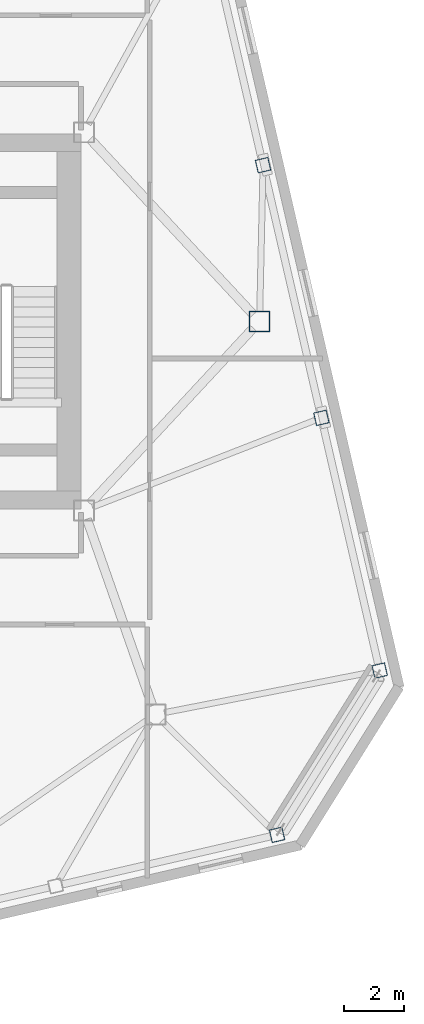
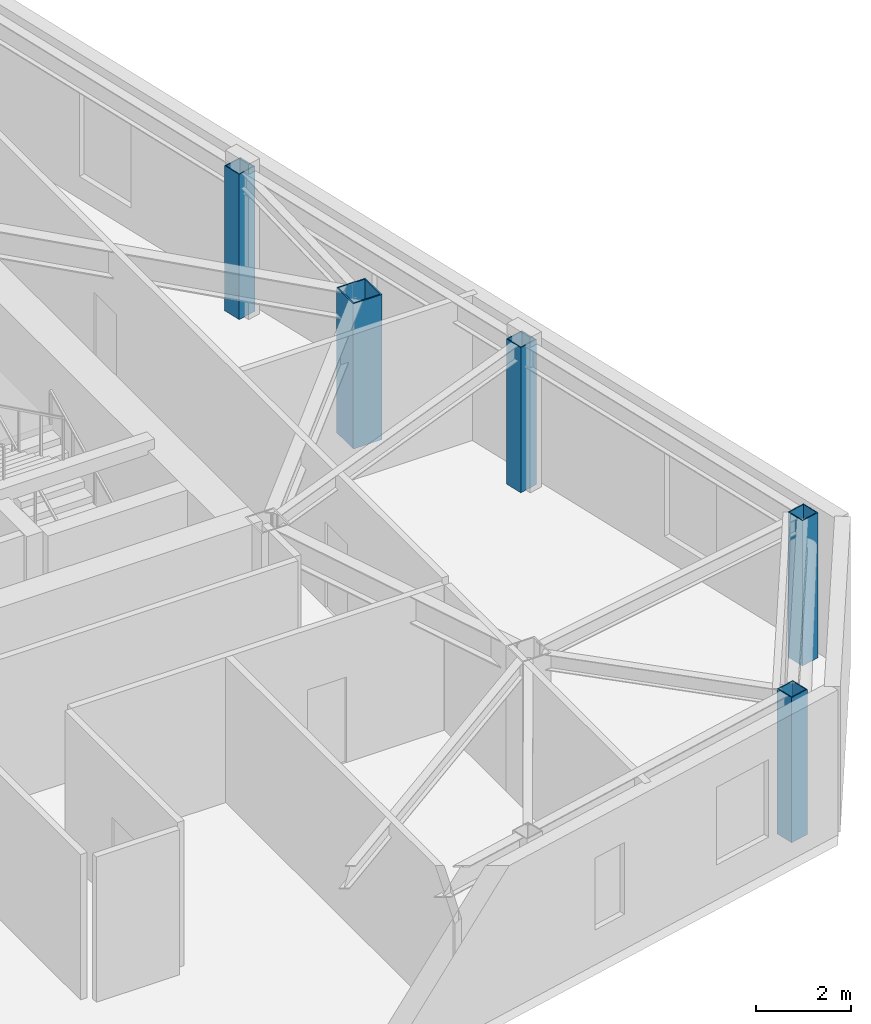
# One storey, part 4 of 22: 5 columns.
"""IFC4 building model written with IfcOpenShell, lengths in metres."""

from ifc_helpers import new_model, si_unit, direction, frame, origin, origin_2d, place, context, subcontext, project, spatial, hollow_rectangle, extrude, material, material_profile, profile_set, type_object, element, save


model = new_model("IFC4")

# Units and contexts
model_context = context("Model", 3, precision=1e-05, world=origin(), true_north=direction((0.0, 1.0)))
body_context = subcontext(model_context, "Body", "Model", "MODEL_VIEW")
ifc_project = project(units=[si_unit("LENGTHUNIT", "METRE"), si_unit("AREAUNIT", "SQUARE_METRE"), si_unit("VOLUMEUNIT", "CUBIC_METRE"), si_unit("PLANEANGLEUNIT", "RADIAN"), si_unit("MASSUNIT", "GRAM", prefix="KILO")], contexts=[model_context])

# Site, building, storey
site_placement = place(None, origin())
site = spatial("IfcSite", under=ifc_project, at=site_placement, CompositionType="ELEMENT")
building_placement = place(site_placement, origin())
building = spatial("IfcBuilding", under=site, at=building_placement, Name="Tavrogorsk Clinical Tower", CompositionType="ELEMENT")
storey_placement = place(building_placement, frame((0.0, 0.0, 317.0)))
storey = spatial("IfcBuildingStorey", under=building, at=storey_placement, Name="L74", CompositionType="ELEMENT", Elevation=317.0)

# Columns
ifc_material_1 = material(Name="Structural steel S440", Category="steel")
ifc_material_profile_1 = material_profile(ifc_material_1, hollow_rectangle(XDim=0.699951171875, YDim=0.699951171875, WallThickness=0.031982421875, at=origin_2d()), Name="BOX-700x700x32")
ifc_profile_set_1 = profile_set([ifc_material_profile_1], Name="Structural steel S440")
column_type_1 = type_object("IfcColumnType", Name="MegaCol_BOX700", PredefinedType="COLUMN", material=ifc_profile_set_1)
column_placement = place(storey_placement, frame((28.0, 0.0, 0.0), z_axis=(0.0, 0.0, 1.0), x_axis=(1.0, 0.0, 0.0)))
element("IfcColumn", 1, at=column_placement, inside=storey, type_object=column_type_1, Name="L74 Spine Pilotis Column MC-P6", PredefinedType="COLUMN", context=body_context, shape_type="SweptSolid", body=[
    extrude(hollow_rectangle(XDim=0.699951171875, YDim=0.699951171875, WallThickness=0.031982421875, at=origin_2d()), origin(), (0.0, 0.0, 1.0), 3.739990234375),
])
ifc_material_2 = material(Name="Structural steel S440", Category="steel")
ifc_material_profile_2 = material_profile(ifc_material_2, hollow_rectangle(XDim=0.449951171875, YDim=0.449951171875, WallThickness=0.02197265625, at=origin_2d()), Name="BOX-450x450x22")
ifc_profile_set_2 = profile_set([ifc_material_profile_2], Name="Structural steel S440")
column_type_2 = type_object("IfcColumnType", Name="PerimCol_B5_BOX450", PredefinedType="COLUMN", material=ifc_profile_set_2)
for number, where, z_axis, x_axis, name in (
    (2, (28.588623046875, -17.244873046875, 0.0), (0.0, 0.0, 1.0), (0.974370064785, 0.224951054344, 0.0), "L74 Perimeter Column S8"),
    (3, (32.035888671875, -11.72802734375, 0.0), (0.0, 0.0, 1.0), (0.974370064785, 0.224951054344, 0.0), "L74 Perimeter Column E1"),
    (4, (30.07666015625, -3.2412109375, 0.0), (0.0, 0.0, 1.0), (0.974370064785, 0.224951054344, 0.0), "L74 Perimeter Column E2"),
    (5, (28.1171875, 5.24560546875, 0.0), (0.0, 0.0, 1.0), (0.974370064785, 0.224951054344, 0.0), "L74 Perimeter Column E3"),
):
    element("IfcColumn", number, at=place(storey_placement, frame(where, z_axis=z_axis, x_axis=x_axis)), inside=storey, type_object=column_type_2, Name=name, PredefinedType="COLUMN", context=body_context, shape_type="SweptSolid", body=[
        extrude(hollow_rectangle(XDim=0.449951171875, YDim=0.449951171875, WallThickness=0.02197265625, at=origin_2d()), origin(), (0.0, 0.0, 1.0), 3.739990234375),
    ])

save(model, "model.ifc")
